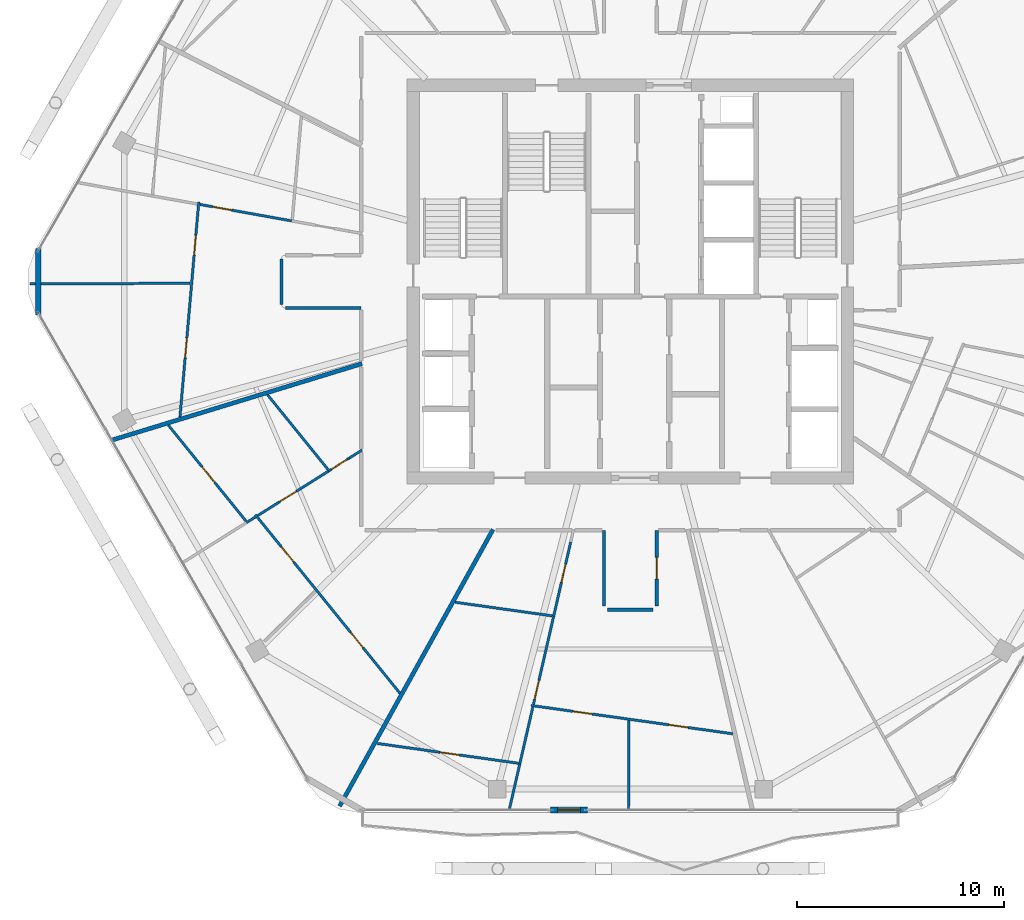
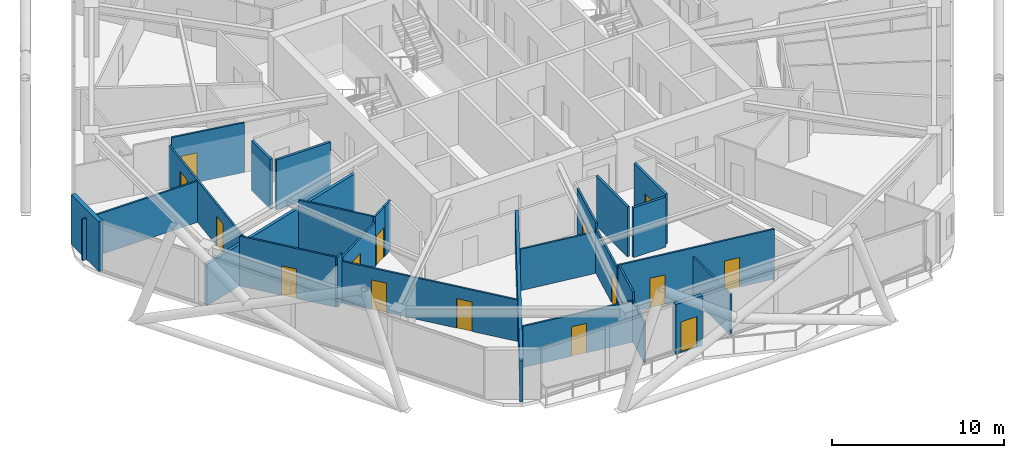
# One storey, part 20 of 27: 27 walls, 15 doors, 15 openings.
"""IFC4 building model written with IfcOpenShell, lengths in metres."""

from ifc_helpers import new_model, si_unit, direction, frame, frame_2d, origin, place, context, subcontext, project, spatial, rectangle, extrude, material, layer, layer_set, type_object, element, fill, save


model = new_model("IFC4")

# Units and contexts
model_context = context("Model", 3, precision=1e-05, world=origin(), true_north=direction((0.0, 1.0)))
body_context = subcontext(model_context, "Body", "Model", "MODEL_VIEW")
ifc_project = project(units=[si_unit("LENGTHUNIT", "METRE"), si_unit("AREAUNIT", "SQUARE_METRE"), si_unit("VOLUMEUNIT", "CUBIC_METRE"), si_unit("PLANEANGLEUNIT", "RADIAN"), si_unit("MASSUNIT", "GRAM", prefix="KILO")], contexts=[model_context])

# Site, building, storey
site_placement = place(None, origin())
site = spatial("IfcSite", under=ifc_project, at=site_placement, CompositionType="ELEMENT")
building_placement = place(site_placement, origin())
building = spatial("IfcBuilding", under=site, at=building_placement, Name="Zuhravey Tower", CompositionType="ELEMENT")
storey_placement = place(building_placement, frame((0.0, 0.0, 276.800048828125)))
storey = spatial("IfcBuildingStorey", under=building, at=storey_placement, Name="L70", CompositionType="ELEMENT", Elevation=276.800048828125)

# Wall, opening, door
ifc_material_1 = material(Name="Gypsum fire-rated stud partition")
ifc_layer_1 = layer(ifc_material_1, 0.159912109375)
ifc_layer_set_1 = layer_set([ifc_layer_1], Name="Gypsum fire-rated stud partition")
wall_type_1 = type_object("IfcWallType", Name="Corridor Fire Partition 160", PredefinedType="PARTITIONING", material=ifc_layer_set_1)
wall_1_placement = place(storey_placement, frame((37.280029296875, 16.300048828125, 0.0), z_axis=(0.0, 0.0, 1.0), x_axis=(0.0, 1.0, 0.0)))
wall_1 = element("IfcWall", 1, at=wall_1_placement, inside=storey, type_object=wall_type_1, Name="L70 IW16 Partition 038", PredefinedType="PARTITIONING", context=body_context, shape_type="SweptSolid", body=[
    extrude(rectangle(XDim=3.669921875, YDim=0.159912109375, at=frame_2d((1.8349609375, 0.0))), origin(), (0.0, 0.0, 1.0), 3.550048828125),
])
opening_1_placement = place(wall_1_placement, frame((1.31005859375, 0.0, 0.0)))
opening_1 = element("IfcOpeningElement", 2, at=opening_1_placement, cuts=wall_1, Name="Opening APD1", PredefinedType="OPENING", context=body_context, shape_type="SweptSolid", body=[
    extrude(rectangle(XDim=1.050048828125, YDim=2.14990234375, at=frame_2d((0.52490234375, 1.074951171875))), frame((0.0, 0.092041015625, 0.0), z_axis=(0.0, -1.0, 0.0), x_axis=(1.0, 0.0, 0.0)), (0.0, 0.0, 1.0), 0.183837890625),
])
ifc_material_2 = material(Name="Solid-core oak fire-rated leaf")
door_type_1 = type_object("IfcDoorType", Name="Apartment Entrance Fire Door 1050x2150", OperationType="NOTDEFINED", PredefinedType="DOOR", material=ifc_material_2)
door_1_placement = place(opening_1_placement, origin())
door_1 = element("IfcDoor", 3, at=door_1_placement, inside=storey, type_object=door_type_1, Name="L70 Door 038.1", OperationType="SINGLE_SWING_LEFT", OverallHeight=2.14990234375, OverallWidth=1.050048828125, PredefinedType="DOOR", context=body_context, shape_type="SweptSolid", body=[
    extrude(rectangle(XDim=1.050048828125, YDim=2.14990234375, at=frame_2d((0.52490234375, 1.074951171875))), frame((0.0, 0.02490234375, 0.0), z_axis=(0.0, -1.0, 0.0), x_axis=(1.0, 0.0, 0.0)), (0.0, 0.0, 1.0), 0.050048828125),
])
fill(opening_1, door_1)

# Walls
wall_2_placement = place(storey_placement, frame((19.300048828125, 30.719970703125, 0.0), z_axis=(0.0, 0.0, 1.0), x_axis=(1.0, 0.0, 0.0)))
element("IfcWall", 4, at=wall_2_placement, inside=storey, type_object=wall_type_1, Name="L70 IW16 Partition 114", PredefinedType="PARTITIONING", context=body_context, shape_type="SweptSolid", body=[
    extrude(rectangle(XDim=3.669921875, YDim=0.159912109375, at=frame_2d((1.8349609375, 0.0))), origin(), (0.0, 0.0, 1.0), 3.550048828125),
])
wall_3_placement = place(storey_placement, frame((19.1201171875, 33.10009765625, 0.0), z_axis=(0.0, 0.0, 1.0), x_axis=(0.0, -1.0, 0.0)))
element("IfcWall", 5, at=wall_3_placement, inside=storey, type_object=wall_type_1, Name="L70 IW16 Partition 116", PredefinedType="PARTITIONING", context=body_context, shape_type="SweptSolid", body=[
    extrude(rectangle(XDim=2.2001953125, YDim=0.159912109375, at=frame_2d((1.10009765625, 0.0))), origin(), (0.0, 0.0, 1.0), 3.550048828125),
])
wall_4_placement = place(storey_placement, frame((34.719970703125, 19.969970703125, 0.0), z_axis=(0.0, 0.0, 1.0), x_axis=(0.0, -1.0, 0.0)))
element("IfcWall", 6, at=wall_4_placement, inside=storey, type_object=wall_type_1, Name="L70 IW16 Partition 121", PredefinedType="PARTITIONING", context=body_context, shape_type="SweptSolid", body=[
    extrude(rectangle(XDim=3.669921875, YDim=0.159912109375, at=frame_2d((1.8349609375, 0.0))), origin(), (0.0, 0.0, 1.0), 3.550048828125),
])
wall_5_placement = place(storey_placement, frame((34.89990234375, 16.1201171875, 0.0), z_axis=(0.0, 0.0, 1.0), x_axis=(1.0, 0.0, 0.0)))
element("IfcWall", 7, at=wall_5_placement, inside=storey, type_object=wall_type_1, Name="L70 IW16 Partition 122", PredefinedType="PARTITIONING", context=body_context, shape_type="SweptSolid", body=[
    extrude(rectangle(XDim=2.2001953125, YDim=0.159912109375, at=frame_2d((1.10009765625, 0.0))), origin(), (0.0, 0.0, 1.0), 3.550048828125),
])

# Wall, opening, door
ifc_material_3 = material(Name="Precast concrete C40/50", Category="concrete")
ifc_layer_2 = layer(ifc_material_3, 0.280029296875)
ifc_layer_set_2 = layer_set([ifc_layer_2], Name="Precast concrete C40/50")
wall_type_2 = type_object("IfcWallType", Name="Crown Architectural Wall 280", PredefinedType="SOLIDWALL", material=ifc_layer_set_2)
wall_6_placement = place(storey_placement, frame((33.918701171875, 6.436279296875, 0.0), z_axis=(0.0, 0.0, 1.0), x_axis=(-1.0, 0.0, 0.0)))
wall_6 = element("IfcWall", 8, at=wall_6_placement, inside=storey, type_object=wall_type_2, Name="L70 Face 5 Facade Pier EW28-1", PredefinedType="SOLIDWALL", context=body_context, shape_type="SweptSolid", body=[
    extrude(rectangle(XDim=1.7900390625, YDim=0.280029296875, at=frame_2d((0.89501953125, 0.0))), origin(), (0.0, 0.0, 1.0), 3.550048828125),
])
opening_2_placement = place(wall_6_placement, frame((0.344970703125, 0.0, 0.0)))
opening_2 = element("IfcOpeningElement", 9, at=opening_2_placement, cuts=wall_6, Name="Opening BLD1", PredefinedType="OPENING", context=body_context, shape_type="SweptSolid", body=[
    extrude(rectangle(XDim=1.10009765625, YDim=2.199951171875, at=frame_2d((0.550048828125, 1.10009765625))), frame((0.0, 0.152099609375, 0.0), z_axis=(0.0, -1.0, 0.0), x_axis=(1.0, 0.0, 0.0)), (0.0, 0.0, 1.0), 0.303955078125),
])
ifc_material_4 = material(Name="Thermally broken aluminium and low-E glass", Category="aluminium")
door_type_2 = type_object("IfcDoorType", Name="Balcony & Sky-Tray Glazed Door 1100x2200", OperationType="NOTDEFINED", PredefinedType="DOOR", material=ifc_material_4)
door_2_placement = place(opening_2_placement, frame((1.10009765625, 0.0, 0.0), z_axis=(0.0, 0.0, 1.0), x_axis=(-1.0, 0.0, 0.0)))
door_2 = element("IfcDoor", 10, at=door_2_placement, inside=storey, type_object=door_type_2, Name="L70 Face 5 Wave Balcony Door", OperationType="SINGLE_SWING_LEFT", OverallHeight=2.199951171875, OverallWidth=1.10009765625, PredefinedType="DOOR", context=body_context, shape_type="SweptSolid", body=[
    extrude(rectangle(XDim=1.10009765625, YDim=2.199951171875, at=frame_2d((0.550048828125, 1.10009765625))), frame((0.0, 0.02490234375, 0.0), z_axis=(0.0, -1.0, 0.0), x_axis=(1.0, 0.0, 0.0)), (0.0, 0.0, 1.0), 0.050048828125),
])
fill(opening_2, door_2)

# Walls
wall_7_placement = place(storey_placement, frame((7.35498046875, 30.392578125, 0.0), z_axis=(0.0, 0.0, 1.0), x_axis=(0.0, 1.0, 0.0)))
element("IfcWall", 11, at=wall_7_placement, inside=storey, type_object=wall_type_2, Name="L70 Rounded Corner Closure Wall EW28-06", PredefinedType="SOLIDWALL", context=body_context, shape_type="SweptSolid", body=[
    extrude(rectangle(XDim=3.21484375, YDim=0.280029296875, at=frame_2d((1.607421875, 0.0))), origin(), (0.0, 0.0, 1.0), 3.550048828125),
])
ifc_material_5 = material(Name="Gypsum double-stud party assembly")
ifc_layer_3 = layer(ifc_material_5, 0.199951171875)
ifc_layer_set_3 = layer_set([ifc_layer_3], Name="Gypsum double-stud party assembly")
wall_type_3 = type_object("IfcWallType", Name="Inter-Tenancy Party Wall 200", PredefinedType="PARTITIONING", material=ifc_layer_set_3)
wall_8_placement = place(storey_placement, frame((23.010009765625, 28.028564453125, 0.0), z_axis=(0.0, 0.0, 1.0), x_axis=(-0.956304823796, -0.292371482852, 0.0)))
element("IfcWall", 12, at=wall_8_placement, inside=storey, type_object=wall_type_3, Name="L70 IW20 Partition 075", PredefinedType="PARTITIONING", context=body_context, shape_type="SweptSolid", body=[
    extrude(rectangle(XDim=12.65234375, YDim=0.199951171875, at=frame_2d((6.326171875, 0.0))), origin(), (0.0, 0.0, 1.0), 2.929931640625),
])
wall_9_placement = place(storey_placement, frame((29.353759765625, 20.010009765625, 0.0), z_axis=(0.0, 0.0, 1.0), x_axis=(-0.48480997026, -0.874619513124, 0.0)))
element("IfcWall", 13, at=wall_9_placement, inside=storey, type_object=wall_type_3, Name="L70 IW20 Partition 080", PredefinedType="PARTITIONING", context=body_context, shape_type="SweptSolid", body=[
    extrude(rectangle(XDim=15.308837890625, YDim=0.199951171875, at=frame_2d((7.654296875, 0.0))), origin(), (0.0, 0.0, 1.0), 2.929931640625),
])

# Wall, openings, doors
ifc_material_6 = material(Name="Gypsum metal-stud partition")
ifc_layer_4 = layer(ifc_material_6, 0.1201171875)
ifc_layer_set_4 = layer_set([ifc_layer_4], Name="Gypsum metal-stud partition")
wall_type_4 = type_object("IfcWallType", Name="Unit Internal Partition 120", PredefinedType="PARTITIONING", material=ifc_layer_set_4)
wall_10_placement = place(storey_placement, frame((15.115478515625, 35.84423828125, 0.0), z_axis=(0.0, 0.0, 1.0), x_axis=(-0.087167240255, -0.996193692123, 0.0)))
wall_10 = element("IfcWall", 14, at=wall_10_placement, inside=storey, type_object=wall_type_4, Name="L70 IW12 Partition 021", PredefinedType="PARTITIONING", context=body_context, shape_type="SweptSolid", body=[
    extrude(rectangle(XDim=10.4443359375, YDim=0.1201171875, at=frame_2d((5.22216796875, 0.0))), origin(), (0.0, 0.0, 1.0), 2.949951171875),
])
opening_3_placement = place(wall_10_placement, frame((1.615966796875, 0.0, 0.0)))
opening_3 = element("IfcOpeningElement", 15, at=opening_3_placement, cuts=wall_10, Name="Opening IND1", PredefinedType="OPENING", context=body_context, shape_type="SweptSolid", body=[
    extrude(rectangle(XDim=0.949951171875, YDim=2.10009765625, at=frame_2d((0.47509765625, 1.050048828125))), frame((0.0, 0.072021484375, 0.0), z_axis=(0.0, -1.0, 0.0), x_axis=(1.0, 0.0, 0.0)), (0.0, 0.0, 1.0), 0.14404296875),
])
opening_4_placement = place(wall_10_placement, frame((6.59765625, 0.0, 0.0)))
opening_4 = element("IfcOpeningElement", 16, at=opening_4_placement, cuts=wall_10, Name="Opening IND1", PredefinedType="OPENING", context=body_context, shape_type="SweptSolid", body=[
    extrude(rectangle(XDim=0.949951171875, YDim=2.10009765625, at=frame_2d((0.47509765625, 1.050048828125))), frame((0.0, 0.072021484375, 0.0), z_axis=(0.0, -1.0, 0.0), x_axis=(1.0, 0.0, 0.0)), (0.0, 0.0, 1.0), 0.14404296875),
])
ifc_material_7 = material(Name="Painted engineered timber leaf", Category="wood")
door_type_3 = type_object("IfcDoorType", Name="Internal Room & Bedroom Door 950x2100", OperationType="NOTDEFINED", PredefinedType="DOOR", material=ifc_material_7)
door_3_placement = place(opening_3_placement, frame((0.949951171875, 0.0, 0.0), z_axis=(0.0, 0.0, 1.0), x_axis=(-1.0, 0.0, 0.0)))
door_3 = element("IfcDoor", 17, at=door_3_placement, inside=storey, type_object=door_type_3, Name="Apartment L70-01 Family Study Door", OperationType="SINGLE_SWING_RIGHT", OverallHeight=2.10009765625, OverallWidth=0.949951171875, PredefinedType="DOOR", context=body_context, shape_type="SweptSolid", body=[
    extrude(rectangle(XDim=0.949951171875, YDim=2.10009765625, at=frame_2d((0.47509765625, 1.050048828125))), frame((0.0, 0.02490234375, 0.0), z_axis=(0.0, -1.0, 0.0), x_axis=(1.0, 0.0, 0.0)), (0.0, 0.0, 1.0), 0.050048828125),
])
fill(opening_3, door_3)
door_4_placement = place(opening_4_placement, frame((0.949951171875, 0.0, 0.0), z_axis=(0.0, 0.0, 1.0), x_axis=(-1.0, 0.0, 0.0)))
door_4 = element("IfcDoor", 18, at=door_4_placement, inside=storey, type_object=door_type_3, Name="Apartment L70-01 Dining Room Door", OperationType="SINGLE_SWING_LEFT", OverallHeight=2.10009765625, OverallWidth=0.949951171875, PredefinedType="DOOR", context=body_context, shape_type="SweptSolid", body=[
    extrude(rectangle(XDim=0.949951171875, YDim=2.10009765625, at=frame_2d((0.47509765625, 1.050048828125))), frame((0.0, 0.02490234375, 0.0), z_axis=(0.0, -1.0, 0.0), x_axis=(1.0, 0.0, 0.0)), (0.0, 0.0, 1.0), 0.050048828125),
])
fill(opening_4, door_4)

# Wall, opening, door
wall_11_placement = place(storey_placement, frame((19.609619140625, 34.937255859375, 0.0), z_axis=(0.0, 0.0, 1.0), x_axis=(-0.984317552752, 0.176405655645, 0.0)))
wall_11 = element("IfcWall", 19, at=wall_11_placement, inside=storey, type_object=wall_type_4, Name="L70 IW12 Partition 023", PredefinedType="PARTITIONING", context=body_context, shape_type="SweptSolid", body=[
    extrude(rectangle(XDim=4.506103515625, YDim=0.1201171875, at=frame_2d((2.2529296875, 0.0))), origin(), (0.0, 0.0, 1.0), 3.550048828125),
])
opening_5_placement = place(wall_11_placement, frame((2.935546875, 0.0, 0.0)))
opening_5 = element("IfcOpeningElement", 20, at=opening_5_placement, cuts=wall_11, Name="Opening IND1", PredefinedType="OPENING", context=body_context, shape_type="SweptSolid", body=[
    extrude(rectangle(XDim=0.949951171875, YDim=2.10009765625, at=frame_2d((0.47509765625, 1.050048828125))), frame((0.0, 0.072021484375, 0.0), z_axis=(0.0, -1.0, 0.0), x_axis=(1.0, 0.0, 0.0)), (0.0, 0.0, 1.0), 0.14404296875),
])
door_5_placement = place(opening_5_placement, frame((0.949951171875, 0.0, 0.0), z_axis=(0.0, 0.0, 1.0), x_axis=(-1.0, 0.0, 0.0)))
door_5 = element("IfcDoor", 21, at=door_5_placement, inside=storey, type_object=door_type_3, Name="Apartment L70-01 Home Office Door", OperationType="SINGLE_SWING_LEFT", OverallHeight=2.10009765625, OverallWidth=0.949951171875, PredefinedType="DOOR", context=body_context, shape_type="SweptSolid", body=[
    extrude(rectangle(XDim=0.949951171875, YDim=2.10009765625, at=frame_2d((0.47509765625, 1.050048828125))), frame((0.0, 0.02490234375, 0.0), z_axis=(0.0, -1.0, 0.0), x_axis=(1.0, 0.0, 0.0)), (0.0, 0.0, 1.0), 0.050048828125),
])
fill(opening_5, door_5)

# Wall, openings, doors
wall_12_placement = place(storey_placement, frame((17.851318359375, 20.724609375, 0.0), z_axis=(0.0, 0.0, 1.0), x_axis=(0.629311937349, -0.777152807053, 0.0)))
wall_12 = element("IfcWall", 22, at=wall_12_placement, inside=storey, type_object=wall_type_4, Name="L70 IW12 Partition 027", PredefinedType="PARTITIONING", context=body_context, shape_type="SweptSolid", body=[
    extrude(rectangle(XDim=11.116943359375, YDim=0.1201171875, at=frame_2d((5.55859375, 0.0))), origin(), (0.0, 0.0, 1.0), 2.949951171875),
])
opening_6_placement = place(wall_12_placement, frame((2.001220703125, 0.0, 0.0)))
opening_6 = element("IfcOpeningElement", 23, at=opening_6_placement, cuts=wall_12, Name="Opening IND1", PredefinedType="OPENING", context=body_context, shape_type="SweptSolid", body=[
    extrude(rectangle(XDim=0.949951171875, YDim=2.10009765625, at=frame_2d((0.47509765625, 1.050048828125))), frame((0.0, 0.072021484375, 0.0), z_axis=(0.0, -1.0, 0.0), x_axis=(1.0, 0.0, 0.0)), (0.0, 0.0, 1.0), 0.14404296875),
])
opening_7_placement = place(wall_12_placement, frame((7.3193359375, 0.0, 0.0)))
opening_7 = element("IfcOpeningElement", 24, at=opening_7_placement, cuts=wall_12, Name="Opening IND1", PredefinedType="OPENING", context=body_context, shape_type="SweptSolid", body=[
    extrude(rectangle(XDim=0.949951171875, YDim=2.10009765625, at=frame_2d((0.47509765625, 1.050048828125))), frame((0.0, 0.072021484375, 0.0), z_axis=(0.0, -1.0, 0.0), x_axis=(1.0, 0.0, 0.0)), (0.0, 0.0, 1.0), 0.14404296875),
])
door_6_placement = place(opening_6_placement, frame((0.949951171875, 0.0, 0.0), z_axis=(0.0, 0.0, 1.0), x_axis=(-1.0, 0.0, 0.0)))
door_6 = element("IfcDoor", 25, at=door_6_placement, inside=storey, type_object=door_type_3, Name="Apartment L70-02 Family Study Door", OperationType="SINGLE_SWING_RIGHT", OverallHeight=2.10009765625, OverallWidth=0.949951171875, PredefinedType="DOOR", context=body_context, shape_type="SweptSolid", body=[
    extrude(rectangle(XDim=0.949951171875, YDim=2.10009765625, at=frame_2d((0.47509765625, 1.050048828125))), frame((0.0, 0.02490234375, 0.0), z_axis=(0.0, -1.0, 0.0), x_axis=(1.0, 0.0, 0.0)), (0.0, 0.0, 1.0), 0.050048828125),
])
fill(opening_6, door_6)
door_7_placement = place(opening_7_placement, frame((0.949951171875, 0.0, 0.0), z_axis=(0.0, 0.0, 1.0), x_axis=(-1.0, 0.0, 0.0)))
door_7 = element("IfcDoor", 26, at=door_7_placement, inside=storey, type_object=door_type_3, Name="Apartment L70-02 Dining Room Door", OperationType="SINGLE_SWING_LEFT", OverallHeight=2.10009765625, OverallWidth=0.949951171875, PredefinedType="DOOR", context=body_context, shape_type="SweptSolid", body=[
    extrude(rectangle(XDim=0.949951171875, YDim=2.10009765625, at=frame_2d((0.47509765625, 1.050048828125))), frame((0.0, 0.02490234375, 0.0), z_axis=(0.0, -1.0, 0.0), x_axis=(1.0, 0.0, 0.0)), (0.0, 0.0, 1.0), 0.050048828125),
])
fill(opening_7, door_7)

# Wall, opening, door
wall_13_placement = place(storey_placement, frame((22.39990234375, 23.462158203125, 0.0), z_axis=(0.0, 0.0, 1.0), x_axis=(-0.846918091409, -0.531723373987, 0.0)))
wall_13 = element("IfcWall", 27, at=wall_13_placement, inside=storey, type_object=wall_type_4, Name="L70 IW12 Partition 028", PredefinedType="PARTITIONING", context=body_context, shape_type="SweptSolid", body=[
    extrude(rectangle(XDim=1.182861328125, YDim=0.1201171875, at=frame_2d((0.59130859375, 0.0))), origin(), (0.0, 0.0, 1.0), 3.550048828125),
])
opening_8_placement = place(wall_13_placement, frame((0.127197265625, 0.0, 0.0)))
opening_8 = element("IfcOpeningElement", 28, at=opening_8_placement, cuts=wall_13, Name="Opening WCD1", PredefinedType="OPENING", context=body_context, shape_type="SweptSolid", body=[
    extrude(rectangle(XDim=0.89990234375, YDim=2.10009765625, at=frame_2d((0.449951171875, 1.050048828125))), frame((0.0, 0.072021484375, 0.0), z_axis=(0.0, -1.0, 0.0), x_axis=(1.0, 0.0, 0.0)), (0.0, 0.0, 1.0), 0.14404296875),
])
ifc_material_8 = material(Name="Moisture-resistant timber leaf", Category="wood")
door_type_4 = type_object("IfcDoorType", Name="Bathroom & WC Internal Door 900x2100", OperationType="NOTDEFINED", PredefinedType="DOOR", material=ifc_material_8)
door_8_placement = place(opening_8_placement, frame((0.89990234375, 0.0, 0.0), z_axis=(0.0, 0.0, 1.0), x_axis=(-1.0, 0.0, 0.0)))
door_8 = element("IfcDoor", 29, at=door_8_placement, inside=storey, type_object=door_type_4, Name="Apartment L70-02 Bathroom Door", OperationType="SINGLE_SWING_RIGHT", OverallHeight=2.10009765625, OverallWidth=0.89990234375, PredefinedType="DOOR", context=body_context, shape_type="SweptSolid", body=[
    extrude(rectangle(XDim=0.89990234375, YDim=2.10009765625, at=frame_2d((0.449951171875, 1.050048828125))), frame((0.0, 0.02490234375, 0.0), z_axis=(0.0, -1.0, 0.0), x_axis=(1.0, 0.0, 0.0)), (0.0, 0.0, 1.0), 0.050048828125),
])
fill(opening_8, door_8)

wall_14_placement = place(storey_placement, frame((21.398193359375, 22.833251953125, 0.0), z_axis=(0.0, 0.0, 1.0), x_axis=(-0.84692159597, -0.531717791953, 0.0)))
wall_14 = element("IfcWall", 30, at=wall_14_placement, inside=storey, type_object=wall_type_4, Name="L70 IW12 Partition 029", PredefinedType="PARTITIONING", context=body_context, shape_type="SweptSolid", body=[
    extrude(rectangle(XDim=4.044677734375, YDim=0.1201171875, at=frame_2d((2.0224609375, 0.0))), origin(), (0.0, 0.0, 1.0), 3.14990234375),
])
opening_9_placement = place(wall_14_placement, frame((1.843994140625, 0.0, 0.0)))
opening_9 = element("IfcOpeningElement", 31, at=opening_9_placement, cuts=wall_14, Name="Opening IND1", PredefinedType="OPENING", context=body_context, shape_type="SweptSolid", body=[
    extrude(rectangle(XDim=0.949951171875, YDim=2.10009765625, at=frame_2d((0.47509765625, 1.050048828125))), frame((0.0, 0.072021484375, 0.0), z_axis=(0.0, -1.0, 0.0), x_axis=(1.0, 0.0, 0.0)), (0.0, 0.0, 1.0), 0.14404296875),
])
door_9_placement = place(opening_9_placement, frame((0.949951171875, 0.0, 0.0), z_axis=(0.0, 0.0, 1.0), x_axis=(-1.0, 0.0, 0.0)))
door_9 = element("IfcDoor", 32, at=door_9_placement, inside=storey, type_object=door_type_3, Name="Apartment L70-02 Home Office Door", OperationType="SINGLE_SWING_LEFT", OverallHeight=2.10009765625, OverallWidth=0.949951171875, PredefinedType="DOOR", context=body_context, shape_type="SweptSolid", body=[
    extrude(rectangle(XDim=0.949951171875, YDim=2.10009765625, at=frame_2d((0.47509765625, 1.050048828125))), frame((0.0, 0.02490234375, 0.0), z_axis=(0.0, -1.0, 0.0), x_axis=(1.0, 0.0, 0.0)), (0.0, 0.0, 1.0), 0.050048828125),
])
fill(opening_9, door_9)

# Wall
wall_15_placement = place(storey_placement, frame((17.856689453125, 20.60986328125, 0.0), z_axis=(0.0, 0.0, 1.0), x_axis=(-0.847021311188, -0.531558932192, 0.0)))
element("IfcWall", 33, at=wall_15_placement, inside=storey, type_object=wall_type_4, Name="L70 IW12 Partition 030", PredefinedType="PARTITIONING", context=body_context, shape_type="SweptSolid", body=[
    extrude(rectangle(XDim=0.506103515625, YDim=0.1201171875, at=frame_2d((0.2529296875, 0.0))), origin(), (0.0, 0.0, 1.0), 3.550048828125),
])

# Wall, opening, door
wall_16_placement = place(storey_placement, frame((13.64208984375, 25.055419921875, 0.0), z_axis=(0.0, 0.0, 1.0), x_axis=(0.629353217971, -0.777119377593, 0.0)))
wall_16 = element("IfcWall", 34, at=wall_16_placement, inside=storey, type_object=wall_type_4, Name="L70 IW12 Partition 031", PredefinedType="PARTITIONING", context=body_context, shape_type="SweptSolid", body=[
    extrude(rectangle(XDim=5.98095703125, YDim=0.1201171875, at=frame_2d((2.990478515625, 0.0))), origin(), (0.0, 0.0, 1.0), 3.550048828125),
])
opening_10_placement = place(wall_16_placement, frame((2.60009765625, 0.0, 0.0)))
opening_10 = element("IfcOpeningElement", 35, at=opening_10_placement, cuts=wall_16, Name="Opening IND1", PredefinedType="OPENING", context=body_context, shape_type="SweptSolid", body=[
    extrude(rectangle(XDim=0.949951171875, YDim=2.10009765625, at=frame_2d((0.47509765625, 1.050048828125))), frame((0.0, 0.072021484375, 0.0), z_axis=(0.0, -1.0, 0.0), x_axis=(1.0, 0.0, 0.0)), (0.0, 0.0, 1.0), 0.14404296875),
])
door_10_placement = place(opening_10_placement, frame((0.949951171875, 0.0, 0.0), z_axis=(0.0, 0.0, 1.0), x_axis=(-1.0, 0.0, 0.0)))
door_10 = element("IfcDoor", 36, at=door_10_placement, inside=storey, type_object=door_type_3, Name="Apartment L70-02 Bedroom 1 Door", OperationType="SINGLE_SWING_RIGHT", OverallHeight=2.10009765625, OverallWidth=0.949951171875, PredefinedType="DOOR", context=body_context, shape_type="SweptSolid", body=[
    extrude(rectangle(XDim=0.949951171875, YDim=2.10009765625, at=frame_2d((0.47509765625, 1.050048828125))), frame((0.0, 0.02490234375, 0.0), z_axis=(0.0, -1.0, 0.0), x_axis=(1.0, 0.0, 0.0)), (0.0, 0.0, 1.0), 0.050048828125),
])
fill(opening_10, door_10)

# Wall, openings, doors
wall_17_placement = place(storey_placement, frame((31.193359375, 11.493896484375, 0.0), z_axis=(0.0, 0.0, 1.0), x_axis=(0.990267998159, -0.139173603183, 0.0)))
wall_17 = element("IfcWall", 37, at=wall_17_placement, inside=storey, type_object=wall_type_4, Name="L70 IW12 Partition 033", PredefinedType="PARTITIONING", context=body_context, shape_type="SweptSolid", body=[
    extrude(rectangle(XDim=9.855224609375, YDim=0.1201171875, at=frame_2d((4.927734375, 0.0))), origin(), (0.0, 0.0, 1.0), 3.550048828125),
])
opening_11_placement = place(wall_17_placement, frame((2.033935546875, 0.0, 0.0)))
opening_11 = element("IfcOpeningElement", 38, at=opening_11_placement, cuts=wall_17, Name="Opening IND1", PredefinedType="OPENING", context=body_context, shape_type="SweptSolid", body=[
    extrude(rectangle(XDim=0.949951171875, YDim=2.10009765625, at=frame_2d((0.47509765625, 1.050048828125))), frame((0.0, 0.072021484375, 0.0), z_axis=(0.0, -1.0, 0.0), x_axis=(1.0, 0.0, 0.0)), (0.0, 0.0, 1.0), 0.14404296875),
])
opening_12_placement = place(wall_17_placement, frame((6.720458984375, 0.0, 0.0)))
opening_12 = element("IfcOpeningElement", 39, at=opening_12_placement, cuts=wall_17, Name="Opening IND1", PredefinedType="OPENING", context=body_context, shape_type="SweptSolid", body=[
    extrude(rectangle(XDim=0.949951171875, YDim=2.10009765625, at=frame_2d((0.47509765625, 1.050048828125))), frame((0.0, 0.072021484375, 0.0), z_axis=(0.0, -1.0, 0.0), x_axis=(1.0, 0.0, 0.0)), (0.0, 0.0, 1.0), 0.14404296875),
])
door_11_placement = place(opening_11_placement, frame((0.949951171875, 0.0, 0.0), z_axis=(0.0, 0.0, 1.0), x_axis=(-1.0, 0.0, 0.0)))
door_11 = element("IfcDoor", 40, at=door_11_placement, inside=storey, type_object=door_type_3, Name="Apartment L70-03 Family Study Door", OperationType="SINGLE_SWING_RIGHT", OverallHeight=2.10009765625, OverallWidth=0.949951171875, PredefinedType="DOOR", context=body_context, shape_type="SweptSolid", body=[
    extrude(rectangle(XDim=0.949951171875, YDim=2.10009765625, at=frame_2d((0.47509765625, 1.050048828125))), frame((0.0, 0.02490234375, 0.0), z_axis=(0.0, -1.0, 0.0), x_axis=(1.0, 0.0, 0.0)), (0.0, 0.0, 1.0), 0.050048828125),
])
fill(opening_11, door_11)
door_12_placement = place(opening_12_placement, frame((0.949951171875, 0.0, 0.0), z_axis=(0.0, 0.0, 1.0), x_axis=(-1.0, 0.0, 0.0)))
door_12 = element("IfcDoor", 41, at=door_12_placement, inside=storey, type_object=door_type_3, Name="Apartment L70-03 Dining Room Door", OperationType="SINGLE_SWING_LEFT", OverallHeight=2.10009765625, OverallWidth=0.949951171875, PredefinedType="DOOR", context=body_context, shape_type="SweptSolid", body=[
    extrude(rectangle(XDim=0.949951171875, YDim=2.10009765625, at=frame_2d((0.47509765625, 1.050048828125))), frame((0.0, 0.02490234375, 0.0), z_axis=(0.0, -1.0, 0.0), x_axis=(1.0, 0.0, 0.0)), (0.0, 0.0, 1.0), 0.050048828125),
])
fill(opening_12, door_12)

# Wall, opening, door
wall_18_placement = place(storey_placement, frame((33.109619140625, 19.39990234375, 0.0), z_axis=(0.0, 0.0, 1.0), x_axis=(-0.223602016725, -0.974680531311, 0.0)))
wall_18 = element("IfcWall", 42, at=wall_18_placement, inside=storey, type_object=wall_type_4, Name="L70 IW12 Partition 034", PredefinedType="PARTITIONING", context=body_context, shape_type="SweptSolid", body=[
    extrude(rectangle(XDim=3.701416015625, YDim=0.1201171875, at=frame_2d((1.8505859375, 0.0))), origin(), (0.0, 0.0, 1.0), 3.550048828125),
])
opening_13_placement = place(wall_18_placement, frame((1.1044921875, 0.0, 0.0)))
opening_13 = element("IfcOpeningElement", 43, at=opening_13_placement, cuts=wall_18, Name="Opening WCD1", PredefinedType="OPENING", context=body_context, shape_type="SweptSolid", body=[
    extrude(rectangle(XDim=0.89990234375, YDim=2.10009765625, at=frame_2d((0.449951171875, 1.050048828125))), frame((0.0, 0.072021484375, 0.0), z_axis=(0.0, -1.0, 0.0), x_axis=(1.0, 0.0, 0.0)), (0.0, 0.0, 1.0), 0.14404296875),
])
door_13_placement = place(opening_13_placement, frame((0.89990234375, 0.0, 0.0), z_axis=(0.0, 0.0, 1.0), x_axis=(-1.0, 0.0, 0.0)))
door_13 = element("IfcDoor", 44, at=door_13_placement, inside=storey, type_object=door_type_4, Name="Apartment L70-03 Bathroom Door", OperationType="SINGLE_SWING_RIGHT", OverallHeight=2.10009765625, OverallWidth=0.89990234375, PredefinedType="DOOR", context=body_context, shape_type="SweptSolid", body=[
    extrude(rectangle(XDim=0.89990234375, YDim=2.10009765625, at=frame_2d((0.449951171875, 1.050048828125))), frame((0.0, 0.02490234375, 0.0), z_axis=(0.0, -1.0, 0.0), x_axis=(1.0, 0.0, 0.0)), (0.0, 0.0, 1.0), 0.050048828125),
])
fill(opening_13, door_13)

wall_19_placement = place(storey_placement, frame((32.281982421875, 15.792236328125, 0.0), z_axis=(0.0, 0.0, 1.0), x_axis=(-0.223578065354, -0.974686025699, 0.0)))
wall_19 = element("IfcWall", 45, at=wall_19_placement, inside=storey, type_object=wall_type_4, Name="L70 IW12 Partition 035", PredefinedType="PARTITIONING", context=body_context, shape_type="SweptSolid", body=[
    extrude(rectangle(XDim=4.35595703125, YDim=0.1201171875, at=frame_2d((2.177978515625, 0.0))), origin(), (0.0, 0.0, 1.0), 3.14990234375),
])
opening_14_placement = place(wall_19_placement, frame((3.15771484375, 0.0, 0.0)))
opening_14 = element("IfcOpeningElement", 46, at=opening_14_placement, cuts=wall_19, Name="Opening IND1", PredefinedType="OPENING", context=body_context, shape_type="SweptSolid", body=[
    extrude(rectangle(XDim=0.949951171875, YDim=2.10009765625, at=frame_2d((0.47509765625, 1.050048828125))), frame((0.0, 0.072021484375, 0.0), z_axis=(0.0, -1.0, 0.0), x_axis=(1.0, 0.0, 0.0)), (0.0, 0.0, 1.0), 0.14404296875),
])
door_14_placement = place(opening_14_placement, frame((0.949951171875, 0.0, 0.0), z_axis=(0.0, 0.0, 1.0), x_axis=(-1.0, 0.0, 0.0)))
door_14 = element("IfcDoor", 47, at=door_14_placement, inside=storey, type_object=door_type_3, Name="Apartment L70-03 Home Office Door", OperationType="SINGLE_SWING_LEFT", OverallHeight=2.10009765625, OverallWidth=0.949951171875, PredefinedType="DOOR", context=body_context, shape_type="SweptSolid", body=[
    extrude(rectangle(XDim=0.949951171875, YDim=2.10009765625, at=frame_2d((0.47509765625, 1.050048828125))), frame((0.0, 0.02490234375, 0.0), z_axis=(0.0, -1.0, 0.0), x_axis=(1.0, 0.0, 0.0)), (0.0, 0.0, 1.0), 0.050048828125),
])
fill(opening_14, door_14)

# Wall
wall_20_placement = place(storey_placement, frame((31.277587890625, 11.41357421875, 0.0), z_axis=(0.0, 0.0, 1.0), x_axis=(-0.223608921033, -0.974678947364, 0.0)))
element("IfcWall", 48, at=wall_20_placement, inside=storey, type_object=wall_type_4, Name="L70 IW12 Partition 036", PredefinedType="PARTITIONING", context=body_context, shape_type="SweptSolid", body=[
    extrude(rectangle(XDim=2.823486328125, YDim=0.1201171875, at=frame_2d((1.41162109375, 0.0))), origin(), (0.0, 0.0, 1.0), 3.550048828125),
])

# Wall, opening, door
wall_21_placement = place(storey_placement, frame((23.754150390625, 9.655517578125, 0.0), z_axis=(0.0, 0.0, 1.0), x_axis=(0.990271826655, -0.1391463594, 0.0)))
wall_21 = element("IfcWall", 49, at=wall_21_placement, inside=storey, type_object=wall_type_4, Name="L70 IW12 Partition 037", PredefinedType="PARTITIONING", context=body_context, shape_type="SweptSolid", body=[
    extrude(rectangle(XDim=6.897216796875, YDim=0.1201171875, at=frame_2d((3.44873046875, 0.0))), origin(), (0.0, 0.0, 1.0), 2.929931640625),
])
opening_15_placement = place(wall_21_placement, frame((3.057861328125, 0.0, 0.0)))
opening_15 = element("IfcOpeningElement", 50, at=opening_15_placement, cuts=wall_21, Name="Opening IND1", PredefinedType="OPENING", context=body_context, shape_type="SweptSolid", body=[
    extrude(rectangle(XDim=0.949951171875, YDim=2.10009765625, at=frame_2d((0.47509765625, 1.050048828125))), frame((0.0, 0.072021484375, 0.0), z_axis=(0.0, -1.0, 0.0), x_axis=(1.0, 0.0, 0.0)), (0.0, 0.0, 1.0), 0.14404296875),
])
door_15_placement = place(opening_15_placement, frame((0.949951171875, 0.0, 0.0), z_axis=(0.0, 0.0, 1.0), x_axis=(-1.0, 0.0, 0.0)))
door_15 = element("IfcDoor", 51, at=door_15_placement, inside=storey, type_object=door_type_3, Name="Apartment L70-03 Bedroom 1 Door", OperationType="SINGLE_SWING_RIGHT", OverallHeight=2.10009765625, OverallWidth=0.949951171875, PredefinedType="DOOR", context=body_context, shape_type="SweptSolid", body=[
    extrude(rectangle(XDim=0.949951171875, YDim=2.10009765625, at=frame_2d((0.47509765625, 1.050048828125))), frame((0.0, 0.02490234375, 0.0), z_axis=(0.0, -1.0, 0.0), x_axis=(1.0, 0.0, 0.0)), (0.0, 0.0, 1.0), 0.050048828125),
])
fill(opening_15, door_15)

# Walls
wall_22_placement = place(storey_placement, frame((14.70361328125, 31.91796875, 0.0), z_axis=(0.0, 0.0, 1.0), x_axis=(-0.99999260876, -0.003844792105, 0.0)))
element("IfcWall", 52, at=wall_22_placement, inside=storey, type_object=wall_type_4, Name="L70 IW12 Partition 071", PredefinedType="PARTITIONING", context=body_context, shape_type="SweptSolid", body=[
    extrude(rectangle(XDim=7.746826171875, YDim=0.1201171875, at=frame_2d((3.87353515625, 0.0))), origin(), (0.0, 0.0, 1.0), 2.929931640625),
])
wall_23_placement = place(storey_placement, frame((23.014892578125, 23.84814453125, 0.0), z_axis=(0.0, 0.0, 1.0), x_axis=(-0.846995618637, -0.531599870212, 0.0)))
element("IfcWall", 53, at=wall_23_placement, inside=storey, type_object=wall_type_4, Name="L70 IW12 Partition 077", PredefinedType="PARTITIONING", context=body_context, shape_type="SweptSolid", body=[
    extrude(rectangle(XDim=0.72607421875, YDim=0.1201171875, at=frame_2d((0.363037109375, 0.0))), origin(), (0.0, 0.0, 1.0), 3.550048828125),
])
wall_24_placement = place(storey_placement, frame((18.445068359375, 26.52001953125, 0.0), z_axis=(0.0, 0.0, 1.0), x_axis=(0.629305271461, -0.777158204815, 0.0)))
element("IfcWall", 54, at=wall_24_placement, inside=storey, type_object=wall_type_4, Name="L70 IW12 Partition 079", PredefinedType="PARTITIONING", context=body_context, shape_type="SweptSolid", body=[
    extrude(rectangle(XDim=4.658203125, YDim=0.1201171875, at=frame_2d((2.3291015625, 0.0))), origin(), (0.0, 0.0, 1.0), 3.550048828125),
])
wall_25_placement = place(storey_placement, frame((35.922119140625, 10.7607421875, 0.0), z_axis=(0.0, 0.0, 1.0), x_axis=(-0.003644495, -0.999993358806, 0.0)))
element("IfcWall", 55, at=wall_25_placement, inside=storey, type_object=wall_type_4, Name="L70 IW12 Partition 081", PredefinedType="PARTITIONING", context=body_context, shape_type="SweptSolid", body=[
    extrude(rectangle(XDim=4.354248046875, YDim=0.1201171875, at=frame_2d((2.17724609375, 0.0))), origin(), (0.0, 0.0, 1.0), 2.929931640625),
])
wall_26_placement = place(storey_placement, frame((30.646240234375, 8.66162109375, 0.0), z_axis=(0.0, 0.0, 1.0), x_axis=(-0.223635915936, -0.974672753853, 0.0)))
element("IfcWall", 56, at=wall_26_placement, inside=storey, type_object=wall_type_4, Name="L70 IW12 Partition 083", PredefinedType="PARTITIONING", context=body_context, shape_type="SweptSolid", body=[
    extrude(rectangle(XDim=2.2880859375, YDim=0.1201171875, at=frame_2d((1.14404296875, 0.0))), origin(), (0.0, 0.0, 1.0), 2.929931640625),
])
wall_27_placement = place(storey_placement, frame((27.52392578125, 16.486083984375, 0.0), z_axis=(0.0, 0.0, 1.0), x_axis=(0.990277311459, -0.139107319759, 0.0)))
element("IfcWall", 57, at=wall_27_placement, inside=storey, type_object=wall_type_4, Name="L70 IW12 Partition 084", PredefinedType="PARTITIONING", context=body_context, shape_type="SweptSolid", body=[
    extrude(rectangle(XDim=4.7421875, YDim=0.1201171875, at=frame_2d((2.37109375, 0.0))), origin(), (0.0, 0.0, 1.0), 2.949951171875),
])

save(model, "model.ifc")
